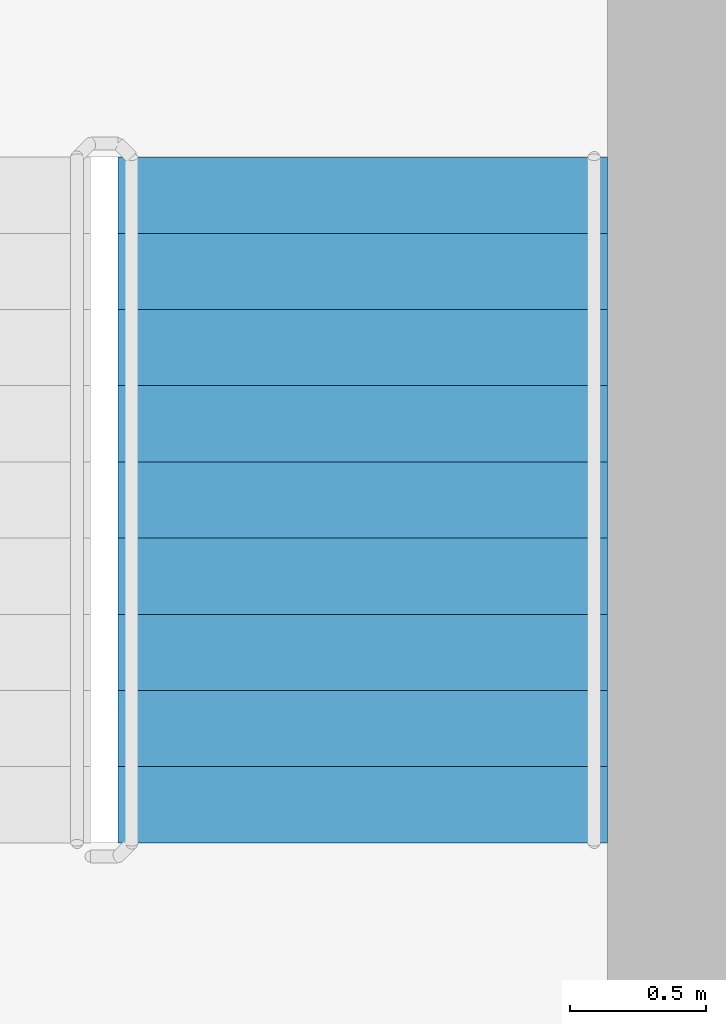
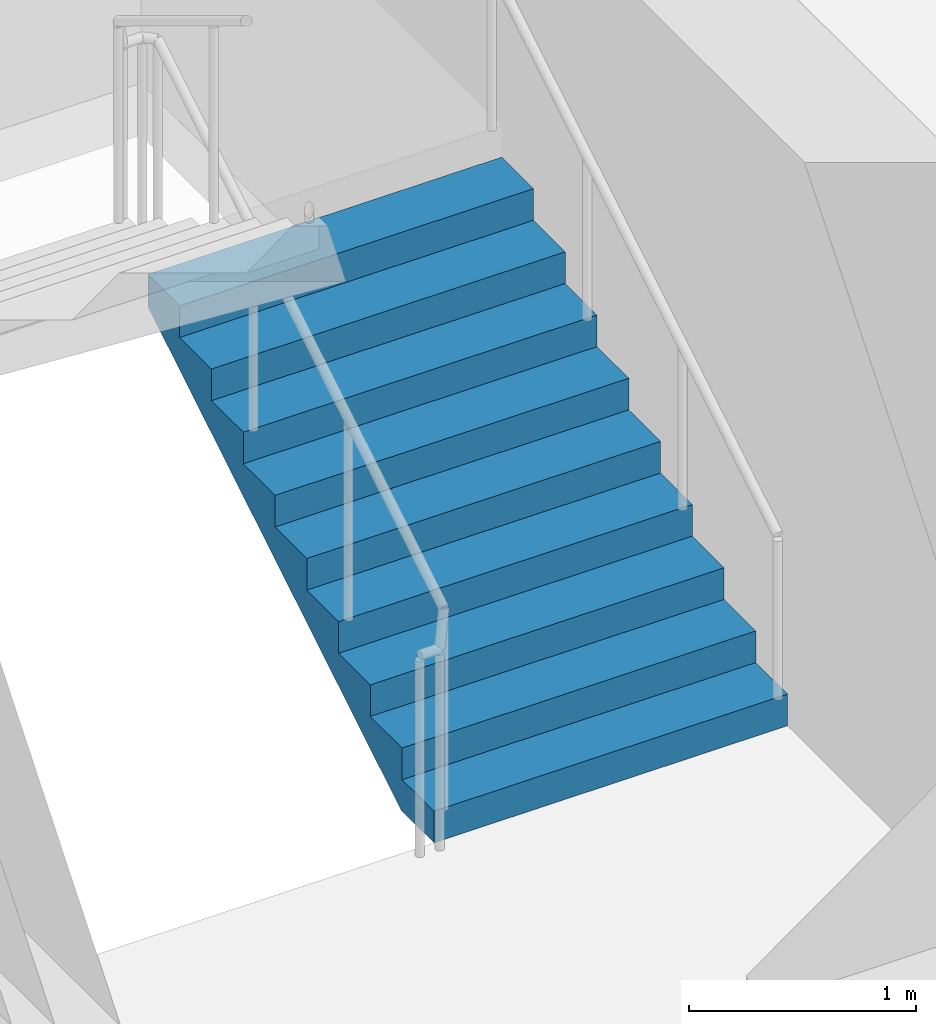
# One storey, part 10 of 17: 1 stair flight, 1 element without a shape of its own.
"""IFC4 building model written with IfcOpenShell, lengths in metres."""

from ifc_helpers import new_model, si_unit, direction, frame, origin, place, context, subcontext, project, spatial, triangles, source, transform, mapped, material, type_object, element, aggregate, save


model = new_model("IFC4")

# Units and contexts
model_context = context("Model", 3, precision=1e-05, world=origin(), true_north=direction((0.0, 1.0)))
body_context = subcontext(model_context, "Body", "Model", "MODEL_VIEW")
ifc_project = project(units=[si_unit("LENGTHUNIT", "METRE"), si_unit("AREAUNIT", "SQUARE_METRE"), si_unit("VOLUMEUNIT", "CUBIC_METRE"), si_unit("PLANEANGLEUNIT", "RADIAN"), si_unit("MASSUNIT", "GRAM", prefix="KILO")], contexts=[model_context])

# Site, building, storey
site_placement = place(None, origin())
site = spatial("IfcSite", under=ifc_project, at=site_placement, CompositionType="ELEMENT")
building_placement = place(site_placement, origin())
building = spatial("IfcBuilding", under=site, at=building_placement, Name="Kilnfold Tower and Market Hall", CompositionType="ELEMENT")
storey_placement = place(building_placement, frame((0.0, 0.0, 301.800048828125)))
storey = spatial("IfcBuildingStorey", under=building, at=storey_placement, Name="L75", CompositionType="ELEMENT", Elevation=301.800048828125)

# Stair, stair flight
ifc_material_1 = material(Name="Concrete C40/50", Category="concrete")
stair_type = type_object("IfcStairType", Name="CORE STAIR 1800", PredefinedType="HALF_TURN_STAIR", material=ifc_material_1)
stair_placement = place(storey_placement, origin())
stair = element("IfcStair", 1, at=stair_placement, inside=storey, type_object=stair_type, Name="L75 ST2", PredefinedType="HALF_TURN_STAIR")
ifc_material_2 = material(Name="Concrete C40/50", Category="concrete")
stair_flight_type = type_object("IfcStairFlightType", Name="CORE STAIR FLIGHT 1800", PredefinedType="STRAIGHT", material=ifc_material_2)
shared_shape = source(origin(), body_context, "Body", "Tessellation", [
    triangles([(0.0, 0.89990234375, 0.0), (0.0, 0.78759765625, 0.0), (0.0, 0.675048828125, 0.0), (0.0, 0.5625, 0.0), (0.0, 0.449951171875, 0.0), (0.0, 0.33740234375, 0.0), (0.0, 0.22509765625, 0.0), (0.0, 0.112548828125, 0.0), (0.0, 0.0, 0.0), (0.0, -0.112548828125, 0.0), (0.0, -0.22509765625, 0.0), (0.0, -0.33740234375, 0.0), (0.0, -0.449951171875, 0.0), (0.0, -0.5625, 0.0), (0.0, -0.675048828125, 0.0), (0.0, -0.78759765625, 0.0), (0.0, -0.89990234375, 0.0), (0.0, 0.89990234375, 0.169921875), (0.0, 0.78759765625, 0.169921875), (0.0, 0.675048828125, 0.169921875), (0.0, 0.5625, 0.169921875), (0.0, 0.449951171875, 0.169921875), (0.0, 0.33740234375, 0.169921875), (0.0, 0.22509765625, 0.169921875), (0.0, 0.112548828125, 0.169921875), (0.0, 0.0, 0.169921875), (0.0, -0.112548828125, 0.169921875), (0.0, -0.22509765625, 0.169921875), (0.0, -0.33740234375, 0.169921875), (0.0, -0.449951171875, 0.169921875), (0.0, -0.5625, 0.169921875), (0.0, -0.675048828125, 0.169921875), (0.0, -0.78759765625, 0.169921875), (0.0, -0.89990234375, 0.169921875), (0.280029296875, 0.89990234375, 0.169921875), (0.280029296875, 0.78759765625, 0.169921875), (0.280029296875, 0.675048828125, 0.169921875), (0.280029296875, 0.5625, 0.169921875), (0.280029296875, 0.449951171875, 0.169921875), (0.280029296875, 0.33740234375, 0.169921875), (0.280029296875, 0.22509765625, 0.169921875), (0.280029296875, 0.112548828125, 0.169921875), (0.280029296875, 0.0, 0.169921875), (0.280029296875, -0.112548828125, 0.169921875), (0.280029296875, -0.22509765625, 0.169921875), (0.280029296875, -0.33740234375, 0.169921875), (0.280029296875, -0.449951171875, 0.169921875), (0.280029296875, -0.5625, 0.169921875), (0.280029296875, -0.675048828125, 0.169921875), (0.280029296875, -0.78759765625, 0.169921875), (0.280029296875, -0.89990234375, 0.169921875), (0.280029296875, 0.89990234375, 0.340087890625), (0.280029296875, 0.78759765625, 0.340087890625), (0.280029296875, 0.675048828125, 0.340087890625), (0.280029296875, 0.5625, 0.340087890625), (0.280029296875, 0.449951171875, 0.340087890625), (0.280029296875, 0.33740234375, 0.340087890625), (0.280029296875, 0.22509765625, 0.340087890625), (0.280029296875, 0.112548828125, 0.340087890625), (0.280029296875, 0.0, 0.340087890625), (0.280029296875, -0.112548828125, 0.340087890625), (0.280029296875, -0.22509765625, 0.340087890625), (0.280029296875, -0.33740234375, 0.340087890625), (0.280029296875, -0.449951171875, 0.340087890625), (0.280029296875, -0.5625, 0.340087890625), (0.280029296875, -0.675048828125, 0.340087890625), (0.280029296875, -0.78759765625, 0.340087890625), (0.280029296875, -0.89990234375, 0.340087890625), (0.56005859375, 0.89990234375, 0.340087890625), (0.56005859375, 0.78759765625, 0.340087890625), (0.56005859375, 0.675048828125, 0.340087890625), (0.56005859375, 0.5625, 0.340087890625), (0.56005859375, 0.449951171875, 0.340087890625), (0.56005859375, 0.33740234375, 0.340087890625), (0.56005859375, 0.22509765625, 0.340087890625), (0.56005859375, 0.112548828125, 0.340087890625), (0.56005859375, 0.0, 0.340087890625), (0.56005859375, -0.112548828125, 0.340087890625), (0.56005859375, -0.22509765625, 0.340087890625), (0.56005859375, -0.33740234375, 0.340087890625), (0.56005859375, -0.449951171875, 0.340087890625), (0.56005859375, -0.5625, 0.340087890625), (0.56005859375, -0.675048828125, 0.340087890625), (0.56005859375, -0.78759765625, 0.340087890625), (0.56005859375, -0.89990234375, 0.340087890625), (0.56005859375, 0.89990234375, 0.510009765625), (0.56005859375, 0.78759765625, 0.510009765625), (0.56005859375, 0.675048828125, 0.510009765625), (0.56005859375, 0.5625, 0.510009765625), (0.56005859375, 0.449951171875, 0.510009765625), (0.56005859375, 0.33740234375, 0.510009765625), (0.56005859375, 0.22509765625, 0.510009765625), (0.56005859375, 0.112548828125, 0.510009765625), (0.56005859375, 0.0, 0.510009765625), (0.56005859375, -0.112548828125, 0.510009765625), (0.56005859375, -0.22509765625, 0.510009765625), (0.56005859375, -0.33740234375, 0.510009765625), (0.56005859375, -0.449951171875, 0.510009765625), (0.56005859375, -0.5625, 0.510009765625), (0.56005859375, -0.675048828125, 0.510009765625), (0.56005859375, -0.78759765625, 0.510009765625), (0.56005859375, -0.89990234375, 0.510009765625), (0.840087890625, 0.89990234375, 0.510009765625), (0.840087890625, 0.78759765625, 0.510009765625), (0.840087890625, 0.675048828125, 0.510009765625), (0.840087890625, 0.5625, 0.510009765625), (0.840087890625, 0.449951171875, 0.510009765625), (0.840087890625, 0.33740234375, 0.510009765625), (0.840087890625, 0.22509765625, 0.510009765625), (0.840087890625, 0.112548828125, 0.510009765625), (0.840087890625, 0.0, 0.510009765625), (0.840087890625, -0.112548828125, 0.510009765625), (0.840087890625, -0.22509765625, 0.510009765625), (0.840087890625, -0.33740234375, 0.510009765625), (0.840087890625, -0.449951171875, 0.510009765625), (0.840087890625, -0.5625, 0.510009765625), (0.840087890625, -0.675048828125, 0.510009765625), (0.840087890625, -0.78759765625, 0.510009765625), (0.840087890625, -0.89990234375, 0.510009765625), (0.840087890625, 0.89990234375, 0.679931640625), (0.840087890625, 0.78759765625, 0.679931640625), (0.840087890625, 0.675048828125, 0.679931640625), (0.840087890625, 0.5625, 0.679931640625), (0.840087890625, 0.449951171875, 0.679931640625), (0.840087890625, 0.33740234375, 0.679931640625), (0.840087890625, 0.22509765625, 0.679931640625), (0.840087890625, 0.112548828125, 0.679931640625), (0.840087890625, 0.0, 0.679931640625), (0.840087890625, -0.112548828125, 0.679931640625), (0.840087890625, -0.22509765625, 0.679931640625), (0.840087890625, -0.33740234375, 0.679931640625), (0.840087890625, -0.449951171875, 0.679931640625), (0.840087890625, -0.5625, 0.679931640625), (0.840087890625, -0.675048828125, 0.679931640625), (0.840087890625, -0.78759765625, 0.679931640625), (0.840087890625, -0.89990234375, 0.679931640625), (1.1201171875, 0.89990234375, 0.679931640625), (1.1201171875, 0.78759765625, 0.679931640625), (1.1201171875, 0.675048828125, 0.679931640625), (1.1201171875, 0.5625, 0.679931640625), (1.1201171875, 0.449951171875, 0.679931640625), (1.1201171875, 0.33740234375, 0.679931640625), (1.1201171875, 0.22509765625, 0.679931640625), (1.1201171875, 0.112548828125, 0.679931640625), (1.1201171875, 0.0, 0.679931640625), (1.1201171875, -0.112548828125, 0.679931640625), (1.1201171875, -0.22509765625, 0.679931640625), (1.1201171875, -0.33740234375, 0.679931640625), (1.1201171875, -0.449951171875, 0.679931640625), (1.1201171875, -0.5625, 0.679931640625), (1.1201171875, -0.675048828125, 0.679931640625), (1.1201171875, -0.78759765625, 0.679931640625), (1.1201171875, -0.89990234375, 0.679931640625), (1.1201171875, 0.89990234375, 0.85009765625), (1.1201171875, 0.78759765625, 0.85009765625), (1.1201171875, 0.675048828125, 0.85009765625), (1.1201171875, 0.5625, 0.85009765625), (1.1201171875, 0.449951171875, 0.85009765625), (1.1201171875, 0.33740234375, 0.85009765625), (1.1201171875, 0.22509765625, 0.85009765625), (1.1201171875, 0.112548828125, 0.85009765625), (1.1201171875, 0.0, 0.85009765625), (1.1201171875, -0.112548828125, 0.85009765625), (1.1201171875, -0.22509765625, 0.85009765625), (1.1201171875, -0.33740234375, 0.85009765625), (1.1201171875, -0.449951171875, 0.85009765625), (1.1201171875, -0.5625, 0.85009765625), (1.1201171875, -0.675048828125, 0.85009765625), (1.1201171875, -0.78759765625, 0.85009765625), (1.1201171875, -0.89990234375, 0.85009765625), (1.39990234375, 0.89990234375, 0.85009765625), (1.39990234375, 0.78759765625, 0.85009765625), (1.39990234375, 0.675048828125, 0.85009765625), (1.39990234375, 0.5625, 0.85009765625), (1.39990234375, 0.449951171875, 0.85009765625), (1.39990234375, 0.33740234375, 0.85009765625), (1.39990234375, 0.22509765625, 0.85009765625), (1.39990234375, 0.112548828125, 0.85009765625), (1.39990234375, 0.0, 0.85009765625), (1.39990234375, -0.112548828125, 0.85009765625), (1.39990234375, -0.22509765625, 0.85009765625), (1.39990234375, -0.33740234375, 0.85009765625), (1.39990234375, -0.449951171875, 0.85009765625), (1.39990234375, -0.5625, 0.85009765625), (1.39990234375, -0.675048828125, 0.85009765625), (1.39990234375, -0.78759765625, 0.85009765625), (1.39990234375, -0.89990234375, 0.85009765625), (1.39990234375, 0.89990234375, 1.02001953125), (1.39990234375, 0.78759765625, 1.02001953125), (1.39990234375, 0.675048828125, 1.02001953125), (1.39990234375, 0.5625, 1.02001953125), (1.39990234375, 0.449951171875, 1.02001953125), (1.39990234375, 0.33740234375, 1.02001953125), (1.39990234375, 0.22509765625, 1.02001953125), (1.39990234375, 0.112548828125, 1.02001953125), (1.39990234375, 0.0, 1.02001953125), (1.39990234375, -0.112548828125, 1.02001953125), (1.39990234375, -0.22509765625, 1.02001953125), (1.39990234375, -0.33740234375, 1.02001953125), (1.39990234375, -0.449951171875, 1.02001953125), (1.39990234375, -0.5625, 1.02001953125), (1.39990234375, -0.675048828125, 1.02001953125), (1.39990234375, -0.78759765625, 1.02001953125), (1.39990234375, -0.89990234375, 1.02001953125), (1.679931640625, 0.89990234375, 1.02001953125), (1.679931640625, 0.78759765625, 1.02001953125), (1.679931640625, 0.675048828125, 1.02001953125), (1.679931640625, 0.5625, 1.02001953125), (1.679931640625, 0.449951171875, 1.02001953125), (1.679931640625, 0.33740234375, 1.02001953125), (1.679931640625, 0.22509765625, 1.02001953125), (1.679931640625, 0.112548828125, 1.02001953125), (1.679931640625, 0.0, 1.02001953125), (1.679931640625, -0.112548828125, 1.02001953125), (1.679931640625, -0.22509765625, 1.02001953125), (1.679931640625, -0.33740234375, 1.02001953125), (1.679931640625, -0.449951171875, 1.02001953125), (1.679931640625, -0.5625, 1.02001953125), (1.679931640625, -0.675048828125, 1.02001953125), (1.679931640625, -0.78759765625, 1.02001953125), (1.679931640625, -0.89990234375, 1.02001953125), (1.679931640625, 0.89990234375, 1.18994140625), (1.679931640625, 0.78759765625, 1.18994140625), (1.679931640625, 0.675048828125, 1.18994140625), (1.679931640625, 0.5625, 1.18994140625), (1.679931640625, 0.449951171875, 1.18994140625), (1.679931640625, 0.33740234375, 1.18994140625), (1.679931640625, 0.22509765625, 1.18994140625), (1.679931640625, 0.112548828125, 1.18994140625), (1.679931640625, 0.0, 1.18994140625), (1.679931640625, -0.112548828125, 1.18994140625), (1.679931640625, -0.22509765625, 1.18994140625), (1.679931640625, -0.33740234375, 1.18994140625), (1.679931640625, -0.449951171875, 1.18994140625), (1.679931640625, -0.5625, 1.18994140625), (1.679931640625, -0.675048828125, 1.18994140625), (1.679931640625, -0.78759765625, 1.18994140625), (1.679931640625, -0.89990234375, 1.18994140625), (1.9599609375, 0.89990234375, 1.18994140625), (1.9599609375, 0.78759765625, 1.18994140625), (1.9599609375, 0.675048828125, 1.18994140625), (1.9599609375, 0.5625, 1.18994140625), (1.9599609375, 0.449951171875, 1.18994140625), (1.9599609375, 0.33740234375, 1.18994140625), (1.9599609375, 0.22509765625, 1.18994140625), (1.9599609375, 0.112548828125, 1.18994140625), (1.9599609375, 0.0, 1.18994140625), (1.9599609375, -0.112548828125, 1.18994140625), (1.9599609375, -0.22509765625, 1.18994140625), (1.9599609375, -0.33740234375, 1.18994140625), (1.9599609375, -0.449951171875, 1.18994140625), (1.9599609375, -0.5625, 1.18994140625), (1.9599609375, -0.675048828125, 1.18994140625), (1.9599609375, -0.78759765625, 1.18994140625), (1.9599609375, -0.89990234375, 1.18994140625), (1.9599609375, 0.89990234375, 1.360107421875), (1.9599609375, 0.78759765625, 1.360107421875), (1.9599609375, 0.675048828125, 1.360107421875), (1.9599609375, 0.5625, 1.360107421875), (1.9599609375, 0.449951171875, 1.360107421875), (1.9599609375, 0.33740234375, 1.360107421875), (1.9599609375, 0.22509765625, 1.360107421875), (1.9599609375, 0.112548828125, 1.360107421875), (1.9599609375, 0.0, 1.360107421875), (1.9599609375, -0.112548828125, 1.360107421875), (1.9599609375, -0.22509765625, 1.360107421875), (1.9599609375, -0.33740234375, 1.360107421875), (1.9599609375, -0.449951171875, 1.360107421875), (1.9599609375, -0.5625, 1.360107421875), (1.9599609375, -0.675048828125, 1.360107421875), (1.9599609375, -0.78759765625, 1.360107421875), (1.9599609375, -0.89990234375, 1.360107421875), (2.239990234375, 0.89990234375, 1.360107421875), (2.239990234375, 0.78759765625, 1.360107421875), (2.239990234375, 0.675048828125, 1.360107421875), (2.239990234375, 0.5625, 1.360107421875), (2.239990234375, 0.449951171875, 1.360107421875), (2.239990234375, 0.33740234375, 1.360107421875), (2.239990234375, 0.22509765625, 1.360107421875), (2.239990234375, 0.112548828125, 1.360107421875), (2.239990234375, 0.0, 1.360107421875), (2.239990234375, -0.112548828125, 1.360107421875), (2.239990234375, -0.22509765625, 1.360107421875), (2.239990234375, -0.33740234375, 1.360107421875), (2.239990234375, -0.449951171875, 1.360107421875), (2.239990234375, -0.5625, 1.360107421875), (2.239990234375, -0.675048828125, 1.360107421875), (2.239990234375, -0.78759765625, 1.360107421875), (2.239990234375, -0.89990234375, 1.360107421875), (2.239990234375, 0.89990234375, 1.530029296875), (2.239990234375, 0.78759765625, 1.530029296875), (2.239990234375, 0.675048828125, 1.530029296875), (2.239990234375, 0.5625, 1.530029296875), (2.239990234375, 0.449951171875, 1.530029296875), (2.239990234375, 0.33740234375, 1.530029296875), (2.239990234375, 0.22509765625, 1.530029296875), (2.239990234375, 0.112548828125, 1.530029296875), (2.239990234375, 0.0, 1.530029296875), (2.239990234375, -0.112548828125, 1.530029296875), (2.239990234375, -0.22509765625, 1.530029296875), (2.239990234375, -0.33740234375, 1.530029296875), (2.239990234375, -0.449951171875, 1.530029296875), (2.239990234375, -0.5625, 1.530029296875), (2.239990234375, -0.675048828125, 1.530029296875), (2.239990234375, -0.78759765625, 1.530029296875), (2.239990234375, -0.89990234375, 1.530029296875), (2.52001953125, 0.89990234375, 1.530029296875), (2.52001953125, 0.78759765625, 1.530029296875), (2.52001953125, 0.675048828125, 1.530029296875), (2.52001953125, 0.5625, 1.530029296875), (2.52001953125, 0.449951171875, 1.530029296875), (2.52001953125, 0.33740234375, 1.530029296875), (2.52001953125, 0.22509765625, 1.530029296875), (2.52001953125, 0.112548828125, 1.530029296875), (2.52001953125, 0.0, 1.530029296875), (2.52001953125, -0.112548828125, 1.530029296875), (2.52001953125, -0.22509765625, 1.530029296875), (2.52001953125, -0.33740234375, 1.530029296875), (2.52001953125, -0.449951171875, 1.530029296875), (2.52001953125, -0.5625, 1.530029296875), (2.52001953125, -0.675048828125, 1.530029296875), (2.52001953125, -0.78759765625, 1.530029296875), (2.52001953125, -0.89990234375, 1.530029296875), (2.52001953125, 0.89990234375, 1.354736328125), (2.52001953125, 0.78759765625, 1.354736328125), (2.52001953125, 0.675048828125, 1.354736328125), (2.52001953125, 0.5625, 1.354736328125), (2.52001953125, 0.449951171875, 1.354736328125), (2.52001953125, 0.33740234375, 1.354736328125), (2.52001953125, 0.22509765625, 1.354736328125), (2.52001953125, 0.112548828125, 1.354736328125), (2.52001953125, 0.0, 1.354736328125), (2.52001953125, -0.112548828125, 1.354736328125), (2.52001953125, -0.22509765625, 1.354736328125), (2.52001953125, -0.33740234375, 1.354736328125), (2.52001953125, -0.449951171875, 1.354736328125), (2.52001953125, -0.5625, 1.354736328125), (2.52001953125, -0.675048828125, 1.354736328125), (2.52001953125, -0.78759765625, 1.354736328125), (2.52001953125, -0.89990234375, 1.354736328125), (0.288818359375, 0.89990234375, 0.0), (0.288818359375, 0.78759765625, 0.0), (0.288818359375, 0.675048828125, 0.0), (0.288818359375, 0.5625, 0.0), (0.288818359375, 0.449951171875, 0.0), (0.288818359375, 0.33740234375, 0.0), (0.288818359375, 0.22509765625, 0.0), (0.288818359375, 0.112548828125, 0.0), (0.288818359375, 0.0, 0.0), (0.288818359375, -0.112548828125, 0.0), (0.288818359375, -0.22509765625, 0.0), (0.288818359375, -0.33740234375, 0.0), (0.288818359375, -0.449951171875, 0.0), (0.288818359375, -0.5625, 0.0), (0.288818359375, -0.675048828125, 0.0), (0.288818359375, -0.78759765625, 0.0), (0.288818359375, -0.89990234375, 0.0)], [[1, 324, 341], [17, 357, 340], [324, 290, 307], [340, 323, 306], [324, 273, 290], [340, 306, 289], [324, 256, 273], [340, 289, 272], [324, 239, 256], [340, 272, 255], [239, 205, 222], [255, 238, 221], [324, 205, 239], [340, 255, 221], [205, 171, 188], [221, 204, 187], [324, 171, 205], [340, 221, 187], [171, 137, 154], [187, 170, 153], [324, 137, 171], [340, 187, 153], [137, 103, 120], [153, 136, 119], [324, 103, 137], [340, 153, 119], [103, 69, 86], [119, 102, 85], [324, 69, 103], [340, 119, 85], [69, 35, 52], [85, 68, 51], [324, 35, 69], [340, 85, 51], [1, 35, 324], [17, 340, 51], [35, 1, 18], [51, 34, 17], [1, 19, 18], [1, 2, 19], [2, 20, 19], [2, 3, 20], [3, 21, 20], [3, 4, 21], [4, 22, 21], [4, 5, 22], [5, 23, 22], [5, 6, 23], [6, 24, 23], [6, 7, 24], [7, 25, 24], [7, 8, 25], [8, 26, 25], [8, 9, 26], [9, 27, 26], [9, 10, 27], [10, 28, 27], [10, 11, 28], [11, 29, 28], [11, 12, 29], [12, 30, 29], [12, 13, 30], [13, 31, 30], [13, 14, 31], [14, 32, 31], [14, 15, 32], [15, 33, 32], [15, 16, 33], [16, 34, 33], [16, 17, 34], [18, 36, 35], [18, 19, 36], [19, 37, 36], [19, 20, 37], [20, 38, 37], [20, 21, 38], [21, 39, 38], [21, 22, 39], [22, 40, 39], [22, 23, 40], [23, 41, 40], [23, 24, 41], [24, 42, 41], [24, 25, 42], [25, 43, 42], [25, 26, 43], [26, 44, 43], [26, 27, 44], [27, 45, 44], [27, 28, 45], [28, 46, 45], [28, 29, 46], [29, 47, 46], [29, 30, 47], [30, 48, 47], [30, 31, 48], [31, 49, 48], [31, 32, 49], [32, 50, 49], [32, 33, 50], [33, 51, 50], [33, 34, 51], [35, 53, 52], [35, 36, 53], [36, 54, 53], [36, 37, 54], [37, 55, 54], [37, 38, 55], [38, 56, 55], [38, 39, 56], [39, 57, 56], [39, 40, 57], [40, 58, 57], [40, 41, 58], [41, 59, 58], [41, 42, 59], [42, 60, 59], [42, 43, 60], [43, 61, 60], [43, 44, 61], [44, 62, 61], [44, 45, 62], [45, 63, 62], [45, 46, 63], [46, 64, 63], [46, 47, 64], [47, 65, 64], [47, 48, 65], [48, 66, 65], [48, 49, 66], [49, 67, 66], [49, 50, 67], [50, 68, 67], [50, 51, 68], [52, 70, 69], [52, 53, 70], [53, 71, 70], [53, 54, 71], [54, 72, 71], [54, 55, 72], [55, 73, 72], [55, 56, 73], [56, 74, 73], [56, 57, 74], [57, 75, 74], [57, 58, 75], [58, 76, 75], [58, 59, 76], [59, 77, 76], [59, 60, 77], [60, 78, 77], [60, 61, 78], [61, 79, 78], [61, 62, 79], [62, 80, 79], [62, 63, 80], [63, 81, 80], [63, 64, 81], [64, 82, 81], [64, 65, 82], [65, 83, 82], [65, 66, 83], [66, 84, 83], [66, 67, 84], [67, 85, 84], [67, 68, 85], [69, 87, 86], [69, 70, 87], [70, 88, 87], [70, 71, 88], [71, 89, 88], [71, 72, 89], [72, 90, 89], [72, 73, 90], [73, 91, 90], [73, 74, 91], [74, 92, 91], [74, 75, 92], [75, 93, 92], [75, 76, 93], [76, 94, 93], [76, 77, 94], [77, 95, 94], [77, 78, 95], [78, 96, 95], [78, 79, 96], [79, 97, 96], [79, 80, 97], [80, 98, 97], [80, 81, 98], [81, 99, 98], [81, 82, 99], [82, 100, 99], [82, 83, 100], [83, 101, 100], [83, 84, 101], [84, 102, 101], [84, 85, 102], [86, 104, 103], [86, 87, 104], [87, 105, 104], [87, 88, 105], [88, 106, 105], [88, 89, 106], [89, 107, 106], [89, 90, 107], [90, 108, 107], [90, 91, 108], [91, 109, 108], [91, 92, 109], [92, 110, 109], [92, 93, 110], [93, 111, 110], [93, 94, 111], [94, 112, 111], [94, 95, 112], [95, 113, 112], [95, 96, 113], [96, 114, 113], [96, 97, 114], [97, 115, 114], [97, 98, 115], [98, 116, 115], [98, 99, 116], [99, 117, 116], [99, 100, 117], [100, 118, 117], [100, 101, 118], [101, 119, 118], [101, 102, 119], [103, 121, 120], [103, 104, 121], [104, 122, 121], [104, 105, 122], [105, 123, 122], [105, 106, 123], [106, 124, 123], [106, 107, 124], [107, 125, 124], [107, 108, 125], [108, 126, 125], [108, 109, 126], [109, 127, 126], [109, 110, 127], [110, 128, 127], [110, 111, 128], [111, 129, 128], [111, 112, 129], [112, 130, 129], [112, 113, 130], [113, 131, 130], [113, 114, 131], [114, 132, 131], [114, 115, 132], [115, 133, 132], [115, 116, 133], [116, 134, 133], [116, 117, 134], [117, 135, 134], [117, 118, 135], [118, 136, 135], [118, 119, 136], [120, 138, 137], [120, 121, 138], [121, 139, 138], [121, 122, 139], [122, 140, 139], [122, 123, 140], [123, 141, 140], [123, 124, 141], [124, 142, 141], [124, 125, 142], [125, 143, 142], [125, 126, 143], [126, 144, 143], [126, 127, 144], [127, 145, 144], [127, 128, 145], [128, 146, 145], [128, 129, 146], [129, 147, 146], [129, 130, 147], [130, 148, 147], [130, 131, 148], [131, 149, 148], [131, 132, 149], [132, 150, 149], [132, 133, 150], [133, 151, 150], [133, 134, 151], [134, 152, 151], [134, 135, 152], [135, 153, 152], [135, 136, 153], [137, 155, 154], [137, 138, 155], [138, 156, 155], [138, 139, 156], [139, 157, 156], [139, 140, 157], [140, 158, 157], [140, 141, 158], [141, 159, 158], [141, 142, 159], [142, 160, 159], [142, 143, 160], [143, 161, 160], [143, 144, 161], [144, 162, 161], [144, 145, 162], [145, 163, 162], [145, 146, 163], [146, 164, 163], [146, 147, 164], [147, 165, 164], [147, 148, 165], [148, 166, 165], [148, 149, 166], [149, 167, 166], [149, 150, 167], [150, 168, 167], [150, 151, 168], [151, 169, 168], [151, 152, 169], [152, 170, 169], [152, 153, 170], [154, 172, 171], [154, 155, 172], [155, 173, 172], [155, 156, 173], [156, 174, 173], [156, 157, 174], [157, 175, 174], [157, 158, 175], [158, 176, 175], [158, 159, 176], [159, 177, 176], [159, 160, 177], [160, 178, 177], [160, 161, 178], [161, 179, 178], [161, 162, 179], [162, 180, 179], [162, 163, 180], [163, 181, 180], [163, 164, 181], [164, 182, 181], [164, 165, 182], [165, 183, 182], [165, 166, 183], [166, 184, 183], [166, 167, 184], [167, 185, 184], [167, 168, 185], [168, 186, 185], [168, 169, 186], [169, 187, 186], [169, 170, 187], [171, 189, 188], [171, 172, 189], [172, 190, 189], [172, 173, 190], [173, 191, 190], [173, 174, 191], [174, 192, 191], [174, 175, 192], [175, 193, 192], [175, 176, 193], [176, 194, 193], [176, 177, 194], [177, 195, 194], [177, 178, 195], [178, 196, 195], [178, 179, 196], [179, 197, 196], [179, 180, 197], [180, 198, 197], [180, 181, 198], [181, 199, 198], [181, 182, 199], [182, 200, 199], [182, 183, 200], [183, 201, 200], [183, 184, 201], [184, 202, 201], [184, 185, 202], [185, 203, 202], [185, 186, 203], [186, 204, 203], [186, 187, 204], [188, 206, 205], [188, 189, 206], [189, 207, 206], [189, 190, 207], [190, 208, 207], [190, 191, 208], [191, 209, 208], [191, 192, 209], [192, 210, 209], [192, 193, 210], [193, 211, 210], [193, 194, 211], [194, 212, 211], [194, 195, 212], [195, 213, 212], [195, 196, 213], [196, 214, 213], [196, 197, 214], [197, 215, 214], [197, 198, 215], [198, 216, 215], [198, 199, 216], [199, 217, 216], [199, 200, 217], [200, 218, 217], [200, 201, 218], [201, 219, 218], [201, 202, 219], [202, 220, 219], [202, 203, 220], [203, 221, 220], [203, 204, 221], [205, 223, 222], [205, 206, 223], [206, 224, 223], [206, 207, 224], [207, 225, 224], [207, 208, 225], [208, 226, 225], [208, 209, 226], [209, 227, 226], [209, 210, 227], [210, 228, 227], [210, 211, 228], [211, 229, 228], [211, 212, 229], [212, 230, 229], [212, 213, 230], [213, 231, 230], [213, 214, 231], [214, 232, 231], [214, 215, 232], [215, 233, 232], [215, 216, 233], [216, 234, 233], [216, 217, 234], [217, 235, 234], [217, 218, 235], [218, 236, 235], [218, 219, 236], [219, 237, 236], [219, 220, 237], [220, 238, 237], [220, 221, 238], [222, 240, 239], [222, 223, 240], [223, 241, 240], [223, 224, 241], [224, 242, 241], [224, 225, 242], [225, 243, 242], [225, 226, 243], [226, 244, 243], [226, 227, 244], [227, 245, 244], [227, 228, 245], [228, 246, 245], [228, 229, 246], [229, 247, 246], [229, 230, 247], [230, 248, 247], [230, 231, 248], [231, 249, 248], [231, 232, 249], [232, 250, 249], [232, 233, 250], [233, 251, 250], [233, 234, 251], [234, 252, 251], [234, 235, 252], [235, 253, 252], [235, 236, 253], [236, 254, 253], [236, 237, 254], [237, 255, 254], [237, 238, 255], [239, 257, 256], [239, 240, 257], [240, 258, 257], [240, 241, 258], [241, 259, 258], [241, 242, 259], [242, 260, 259], [242, 243, 260], [243, 261, 260], [243, 244, 261], [244, 262, 261], [244, 245, 262], [245, 263, 262], [245, 246, 263], [246, 264, 263], [246, 247, 264], [247, 265, 264], [247, 248, 265], [248, 266, 265], [248, 249, 266], [249, 267, 266], [249, 250, 267], [250, 268, 267], [250, 251, 268], [251, 269, 268], [251, 252, 269], [252, 270, 269], [252, 253, 270], [253, 271, 270], [253, 254, 271], [254, 272, 271], [254, 255, 272], [256, 274, 273], [256, 257, 274], [257, 275, 274], [257, 258, 275], [258, 276, 275], [258, 259, 276], [259, 277, 276], [259, 260, 277], [260, 278, 277], [260, 261, 278], [261, 279, 278], [261, 262, 279], [262, 280, 279], [262, 263, 280], [263, 281, 280], [263, 264, 281], [264, 282, 281], [264, 265, 282], [265, 283, 282], [265, 266, 283], [266, 284, 283], [266, 267, 284], [267, 285, 284], [267, 268, 285], [268, 286, 285], [268, 269, 286], [269, 287, 286], [269, 270, 287], [270, 288, 287], [270, 271, 288], [271, 289, 288], [271, 272, 289], [273, 291, 290], [273, 274, 291], [274, 292, 291], [274, 275, 292], [275, 293, 292], [275, 276, 293], [276, 294, 293], [276, 277, 294], [277, 295, 294], [277, 278, 295], [278, 296, 295], [278, 279, 296], [279, 297, 296], [279, 280, 297], [280, 298, 297], [280, 281, 298], [281, 299, 298], [281, 282, 299], [282, 300, 299], [282, 283, 300], [283, 301, 300], [283, 284, 301], [284, 302, 301], [284, 285, 302], [285, 303, 302], [285, 286, 303], [286, 304, 303], [286, 287, 304], [287, 305, 304], [287, 288, 305], [288, 306, 305], [288, 289, 306], [290, 308, 307], [290, 291, 308], [291, 309, 308], [291, 292, 309], [292, 310, 309], [292, 293, 310], [293, 311, 310], [293, 294, 311], [294, 312, 311], [294, 295, 312], [295, 313, 312], [295, 296, 313], [296, 314, 313], [296, 297, 314], [297, 315, 314], [297, 298, 315], [298, 316, 315], [298, 299, 316], [299, 317, 316], [299, 300, 317], [300, 318, 317], [300, 301, 318], [301, 319, 318], [301, 302, 319], [302, 320, 319], [302, 303, 320], [303, 321, 320], [303, 304, 321], [304, 322, 321], [304, 305, 322], [305, 323, 322], [305, 306, 323], [307, 325, 324], [307, 308, 325], [308, 326, 325], [308, 309, 326], [309, 327, 326], [309, 310, 327], [310, 328, 327], [310, 311, 328], [311, 329, 328], [311, 312, 329], [312, 330, 329], [312, 313, 330], [313, 331, 330], [313, 314, 331], [314, 332, 331], [314, 315, 332], [315, 333, 332], [315, 316, 333], [316, 334, 333], [316, 317, 334], [317, 335, 334], [317, 318, 335], [318, 336, 335], [318, 319, 336], [319, 337, 336], [319, 320, 337], [320, 338, 337], [320, 321, 338], [321, 339, 338], [321, 322, 339], [322, 340, 339], [322, 323, 340], [324, 342, 341], [324, 325, 342], [325, 343, 342], [325, 326, 343], [326, 344, 343], [326, 327, 344], [327, 345, 344], [327, 328, 345], [328, 346, 345], [328, 329, 346], [329, 347, 346], [329, 330, 347], [330, 348, 347], [330, 331, 348], [331, 349, 348], [331, 332, 349], [332, 350, 349], [332, 333, 350], [333, 351, 350], [333, 334, 351], [334, 352, 351], [334, 335, 352], [335, 353, 352], [335, 336, 353], [336, 354, 353], [336, 337, 354], [337, 355, 354], [337, 338, 355], [338, 356, 355], [338, 339, 356], [339, 357, 356], [339, 340, 357], [341, 2, 1], [341, 342, 2], [342, 3, 2], [342, 343, 3], [343, 4, 3], [343, 344, 4], [344, 5, 4], [344, 345, 5], [345, 6, 5], [345, 346, 6], [346, 7, 6], [346, 347, 7], [347, 8, 7], [347, 348, 8], [348, 9, 8], [348, 349, 9], [349, 10, 9], [349, 350, 10], [350, 11, 10], [350, 351, 11], [351, 12, 11], [351, 352, 12], [352, 13, 12], [352, 353, 13], [353, 14, 13], [353, 354, 14], [354, 15, 14], [354, 355, 15], [355, 16, 15], [355, 356, 16], [356, 17, 16], [356, 357, 17]], closed=True),
])
stair_flight_placement = place(storey_placement, frame((16.199951171875, 10.800048828125, 0.0), z_axis=(0.0, 0.0, 1.0), x_axis=(0.0, 1.0, 0.0)))
stair_flight = element("IfcStairFlight", 2, at=stair_flight_placement, type_object=stair_flight_type, Name="ST2 flight 1", NumberOfRisers=10, NumberOfTreads=9, PredefinedType="STRAIGHT", RiserHeight=0.17, TreadLength=0.28, context=body_context, shape_type="MappedRepresentation", body=[
    mapped(shared_shape, transform((0.0, 0.0, 0.0))),
])
aggregate(stair, [stair_flight])

save(model, "model.ifc")
